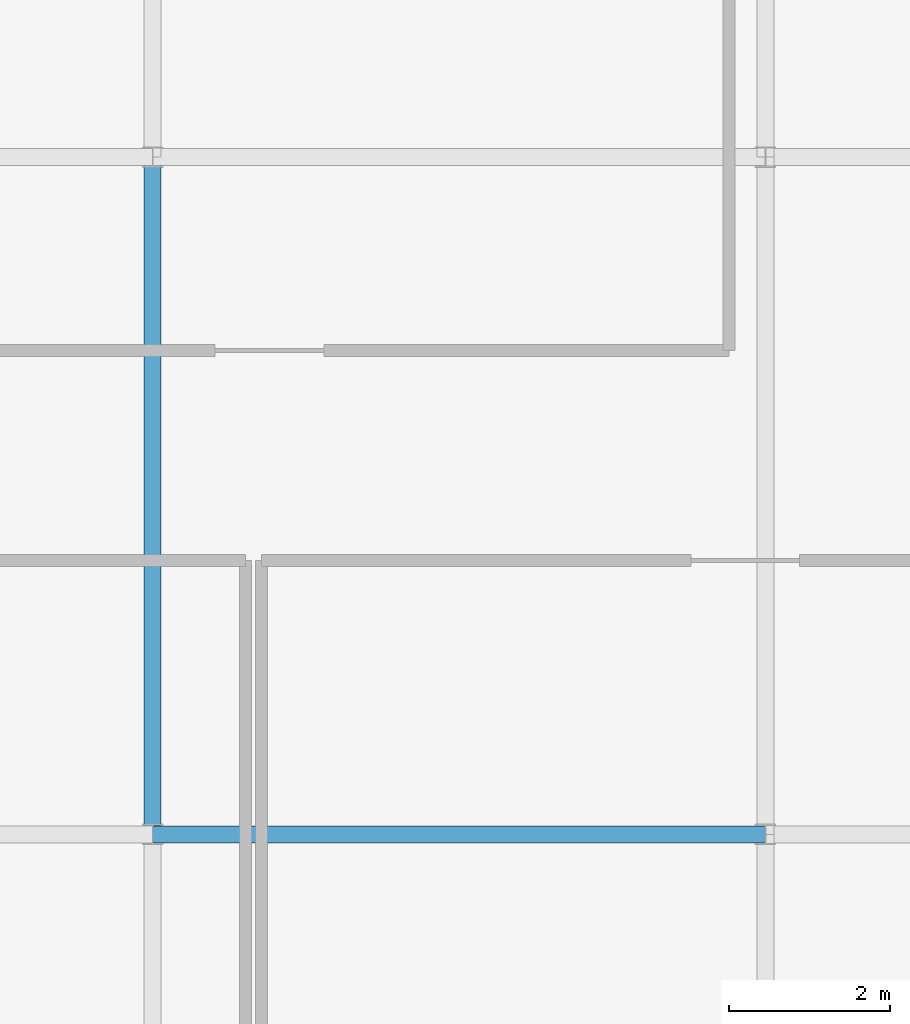
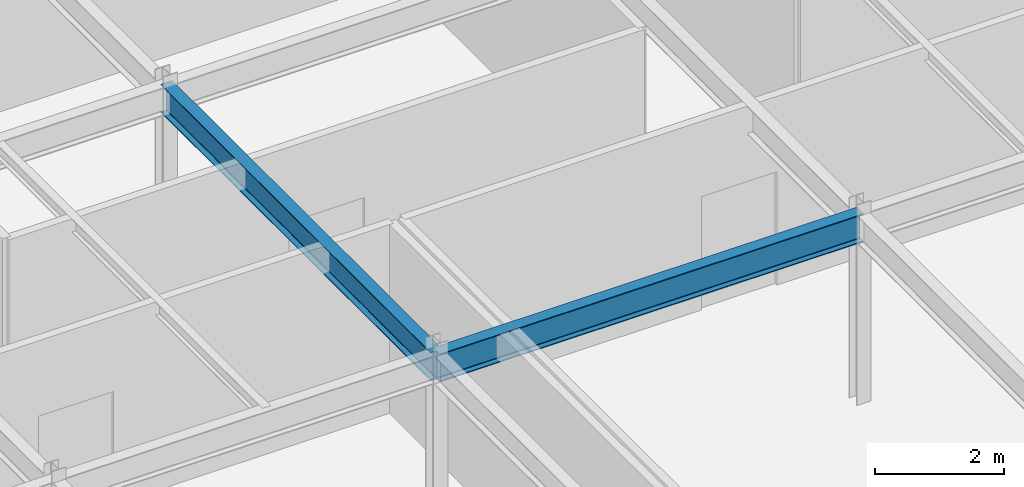
# One storey, part 9 of 36: 2 beams.
"""IFC4 building model written with IfcOpenShell, lengths in metres."""

import ifcopenshell
import ifcopenshell.guid

model = None  # the IFC model being written
_history = None  # IfcOwnerHistory: only IFC2X3 demands one
_inside = {}  # id of a spatial element -> (the spatial element, [elements in it])
_under = {}  # id of a project, library or spatial element -> (it, [spatial elements below it])
_declared = {}  # id of a project -> (the project, [libraries it declares])
_typed = {}  # id of a type object -> (the type object, [elements of that type])
_made_of = {}  # id of a material, layer set ... -> (it, [elements and type objects made of it])


def new_model(schema):
    """Start an empty IFC model of exactly this schema.

    Asked for "IFC4X3", IfcOpenShell would pick the latest addendum, in which some entities
    have other attributes; the version numbers below select the first issue.
    IFC2X3 requires an IfcOwnerHistory on every rooted entity: one is made here for all.
    """
    global model, _history
    if schema == "IFC4X3":
        model = ifcopenshell.file(schema_version=(4, 3, 0, 0))
    else:
        model = ifcopenshell.file(schema=schema)
    _inside.clear()
    _under.clear()
    _declared.clear()
    _typed.clear()
    _made_of.clear()
    _history = None
    if model.schema == "IFC2X3":
        org = make("IfcOrganization", Name="unknown")
        user = make(
            "IfcPersonAndOrganization",
            ThePerson=make("IfcPerson", FamilyName="unknown"),
            TheOrganization=org,
        )
        app = make(
            "IfcApplication",
            ApplicationDeveloper=org,
            Version="unknown",
            ApplicationFullName="unknown",
            ApplicationIdentifier="unknown",
        )
        _history = make(
            "IfcOwnerHistory",
            OwningUser=user,
            OwningApplication=app,
            ChangeAction="ADDED",
            CreationDate=0,
        )
    return model


def make(cls, **values):
    """One entity of the class cls with the attributes given. An attribute that is None is left unset."""
    return model.create_entity(
        cls, **{name: value for name, value in values.items() if value is not None}
    )


def rooted(cls, **values):
    """An entity with a GlobalId (a new one), such as an element, a storey or a relation."""
    return make(cls, GlobalId=ifcopenshell.guid.new(), OwnerHistory=_history, **values)


def si_unit(unit_type, name, prefix=None):
    """IfcSIUnit, for example si_unit("LENGTHUNIT", "METRE", prefix="MILLI")."""
    return make("IfcSIUnit", UnitType=unit_type, Prefix=prefix, Name=name)


def assignment(units):
    """IfcUnitAssignment: the units of a project."""
    return None if units is None else make("IfcUnitAssignment", Units=units)


def point(xyz):
    """IfcCartesianPoint."""
    return None if xyz is None else make("IfcCartesianPoint", Coordinates=xyz)


def direction(xyz):
    """IfcDirection."""
    return None if xyz is None else make("IfcDirection", DirectionRatios=xyz)


def frame(location, z_axis=None, x_axis=None):
    """IfcAxis2Placement3D, a coordinate frame: its origin and axes. An axis left out is left unset."""
    return make(
        "IfcAxis2Placement3D",
        Location=point(location),
        Axis=direction(z_axis),
        RefDirection=direction(x_axis),
    )


def frame_2d(location, x_axis=None):
    """IfcAxis2Placement2D, a coordinate frame in the plane: its origin and x axis."""
    return make(
        "IfcAxis2Placement2D", Location=point(location), RefDirection=direction(x_axis)
    )


def origin():
    """The frame at (0, 0, 0) with its axes left unset."""
    return frame((0.0, 0.0, 0.0))


def origin_2d():
    """The frame at (0, 0) in the plane with its x axis left unset."""
    return frame_2d((0.0, 0.0))


def place(relative_to, where):
    """IfcLocalPlacement: puts the frame where relative to a parent placement (None: the world)."""
    return make(
        "IfcLocalPlacement", PlacementRelTo=relative_to, RelativePlacement=where
    )


def context(
    kind, dimensions, precision=None, world=None, true_north=None, identifier=None
):
    """IfcGeometricRepresentationContext, for example the 3D "Model" context."""
    return make(
        "IfcGeometricRepresentationContext",
        ContextIdentifier=identifier,
        ContextType=kind,
        CoordinateSpaceDimension=dimensions,
        Precision=precision,
        WorldCoordinateSystem=world,
        TrueNorth=true_north,
    )


def subcontext(parent, identifier, kind, view, scale=None):
    """IfcGeometricRepresentationSubContext, for example "Body" below "Model"."""
    return make(
        "IfcGeometricRepresentationSubContext",
        ContextIdentifier=identifier,
        ContextType=kind,
        ParentContext=parent,
        TargetScale=scale,
        TargetView=view,
    )


def project(units=None, contexts=None):
    """IfcProject with its units and contexts."""
    return rooted(
        "IfcProject",
        Name="project",
        RepresentationContexts=contexts,
        UnitsInContext=assignment(units),
    )


def spatial(cls, under=None, at=None, **own):
    """A site, building, storey or space (cls), placed at a placement, below another one or the project."""
    s = rooted(cls, ObjectPlacement=at, **own)
    if under is not None:
        _under.setdefault(under.id(), (under, []))[1].append(s)
    return s


def profile(cls, at=None, kind="AREA", **sizes):
    """A parametric profile (cls). Its sizes go by their IFC names, for example OverallWidth=200.0."""
    return make(cls, ProfileType=kind, Position=at, **sizes)


def i_section(**sizes):
    """IfcIShapeProfileDef."""
    return profile("IfcIShapeProfileDef", **sizes)


def extrude(swept, where, along, depth):
    """IfcExtrudedAreaSolid: the profile swept, set in the frame where, extruded along a direction by depth."""
    return make(
        "IfcExtrudedAreaSolid",
        SweptArea=swept,
        Position=where,
        ExtrudedDirection=direction(along),
        Depth=depth,
    )


def shape(context_of_items, identifier, shape_type, items):
    """IfcShapeRepresentation: the items that make up one representation, for example the "Body"."""
    return make(
        "IfcShapeRepresentation",
        ContextOfItems=context_of_items,
        RepresentationIdentifier=identifier,
        RepresentationType=shape_type,
        Items=items,
    )


def source(mapping_origin, context_of_items, identifier, shape_type, items):
    """IfcRepresentationMap: a shape defined once, which mapped items show again and again."""
    return make(
        "IfcRepresentationMap",
        MappingOrigin=mapping_origin,
        MappedRepresentation=shape(context_of_items, identifier, shape_type, items),
    )


def transform(
    local_origin,
    x_axis=None,
    y_axis=None,
    z_axis=None,
    scale=None,
    scale2=None,
    scale3=None,
    uniform=True,
):
    """IfcCartesianTransformationOperator3D, or its non-uniform kind. x_axis, y_axis, z_axis: its Axis1, 2, 3."""
    if uniform:
        return make(
            "IfcCartesianTransformationOperator3D",
            Axis1=direction(x_axis),
            Axis2=direction(y_axis),
            LocalOrigin=point(local_origin),
            Scale=scale,
            Axis3=direction(z_axis),
        )
    return make(
        "IfcCartesianTransformationOperator3DnonUniform",
        Axis1=direction(x_axis),
        Axis2=direction(y_axis),
        LocalOrigin=point(local_origin),
        Scale=scale,
        Axis3=direction(z_axis),
        Scale2=scale2,
        Scale3=scale3,
    )


def mapped(mapping_source, mapping_target):
    """IfcMappedItem: shows the shape of a source again, moved by a transform."""
    return make(
        "IfcMappedItem", MappingSource=mapping_source, MappingTarget=mapping_target
    )


def material(Name=None, Category=None):
    """IfcMaterial."""
    return make("IfcMaterial", Name=Name, Category=Category)


def material_profile(
    of_material, cross_section, Name=None, Category=None, Priority=None
):
    """IfcMaterialProfile: a cross section and its material."""
    return make(
        "IfcMaterialProfile",
        Name=Name,
        Material=of_material,
        Profile=cross_section,
        Priority=Priority,
        Category=Category,
    )


def profile_set(profiles, Name=None, composite=None):
    """IfcMaterialProfileSet."""
    return make(
        "IfcMaterialProfileSet",
        Name=Name,
        MaterialProfiles=profiles,
        CompositeProfile=composite,
    )


def made_of(thing, what):
    """Note that an element or type object is made of a material, layer set ...; save() writes the relation."""
    if what is not None:
        _made_of.setdefault(what.id(), (what, []))[1].append(thing)
    return thing


def type_object(cls, material=None, **own):
    """A type object (cls), such as IfcWallType, which elements share."""
    return made_of(rooted(cls, **own), material)


def type_shapes(of_type, sources):
    """Give a type object the sources (RepresentationMaps) that its elements show as mapped items."""
    of_type.RepresentationMaps = sources


def element(
    cls,
    number,
    at=None,
    inside=None,
    cuts=None,
    type_object=None,
    material=None,
    context=None,
    identifier="Body",
    shape_type=None,
    held_by="IfcProductDefinitionShape",
    body=None,
    shapes=None,
    **own,
):
    """One element of the class cls, such as IfcWall. Its Tag is "e" and its number.

    at: its placement. inside: the storey or other place that contains it. cuts: it is an
    opening in that element (IfcRelVoidsElement). A single representation is given by context,
    identifier, shape_type and body (its items); several are given by shapes. held_by: the class
    of the entity that holds the representations. save() writes the other relations.
    """
    e = rooted(cls, Tag="e%d" % number, ObjectPlacement=at, **own)
    if body is not None:
        shapes = [shape(context, identifier, shape_type, body)]
    if shapes is not None:
        e.Representation = make(held_by, Representations=shapes)
    if inside is not None:
        _inside.setdefault(inside.id(), (inside, []))[1].append(e)
    if cuts is not None:
        rooted(
            "IfcRelVoidsElement", RelatingBuildingElement=cuts, RelatedOpeningElement=e
        )
    if type_object is not None:
        _typed.setdefault(type_object.id(), (type_object, []))[1].append(e)
    return made_of(e, material)


def aggregate(whole, parts):
    """IfcRelAggregates: a whole, such as a stair, and the parts it consists of."""
    return rooted("IfcRelAggregates", RelatingObject=whole, RelatedObjects=parts)


def save(model, path):
    """Write the relations noted so far, then the file.

    IfcRelAggregates (storeys below a building ...), IfcRelContainedInSpatialStructure (elements
    in a storey), IfcRelDefinesByType, IfcRelAssociatesMaterial and IfcRelDeclares: one each for
    every whole, place, type object, material and project.
    """
    for whole, parts in _under.values():
        aggregate(whole, parts)
    for where, things in _inside.values():
        rooted(
            "IfcRelContainedInSpatialStructure",
            RelatedElements=things,
            RelatingStructure=where,
        )
    for kind, things in _typed.values():
        rooted("IfcRelDefinesByType", RelatedObjects=things, RelatingType=kind)
    for what, things in _made_of.values():
        rooted("IfcRelAssociatesMaterial", RelatedObjects=things, RelatingMaterial=what)
    for by, libraries in _declared.values():
        rooted("IfcRelDeclares", RelatingContext=by, RelatedDefinitions=libraries)
    model.write(path)


model = new_model("IFC4")

# Units and contexts
model_context = context("Model", 3, precision=1e-05, world=origin(), true_north=direction((0.0, 1.0)))
body_context = subcontext(model_context, "Body", "Model", "MODEL_VIEW")
ifc_project = project(units=[si_unit("LENGTHUNIT", "METRE"), si_unit("AREAUNIT", "SQUARE_METRE"), si_unit("VOLUMEUNIT", "CUBIC_METRE"), si_unit("PLANEANGLEUNIT", "RADIAN"), si_unit("MASSUNIT", "GRAM", prefix="KILO")], contexts=[model_context])

# Site, building, storey
site_placement = place(None, origin())
site = spatial("IfcSite", under=ifc_project, at=site_placement, CompositionType="ELEMENT")
building_placement = place(site_placement, origin())
building = spatial("IfcBuilding", under=site, at=building_placement, Name="Tolvann Quenvar Hotel", CompositionType="ELEMENT")
storey_placement = place(building_placement, frame((0.0, 0.0, 302.35009765625)))
storey = spatial("IfcBuildingStorey", under=building, at=storey_placement, Name="L80", CompositionType="ELEMENT", Elevation=302.35009765625)

# Beams
ifc_material = material(Name="Steel Grade 350", Category="steel")
ifc_material_profile = material_profile(ifc_material, i_section(OverallWidth=0.208984375, OverallDepth=0.532958984375, WebThickness=0.01025390625, FlangeThickness=0.015625, FilletRadius=0.013916015625, at=origin_2d()), Name="530UB92")
ifc_profile_set = profile_set([ifc_material_profile], Name="Steel Grade 350")
beam_type = type_object("IfcBeamType", Name="BM_GIRD_530UB92", PredefinedType="BEAM", material=ifc_profile_set)
shared_shape_1 = source(origin(), body_context, "Body", "SweptSolid", [
    extrude(i_section(OverallWidth=0.208984375, OverallDepth=0.532958984375, WebThickness=0.01025390625, FlangeThickness=0.015625, FilletRadius=0.013916015625, at=origin_2d()), origin(), (0.0, 0.0, 1.0), 8.39990234375),
])
beam_1_placement = place(storey_placement, frame((14.449951171875, 16.0, 3.3134765625), z_axis=(0.0, 1.0, 0.0), x_axis=(-1.0, 0.0, 0.0)))
element("IfcBeam", 1, at=beam_1_placement, inside=storey, type_object=beam_type, Name="BM-L80-NS-D4-D5", PredefinedType="BEAM", context=body_context, shape_type="MappedRepresentation", body=[
    mapped(shared_shape_1, transform((0.0, 0.0, 0.0), x_axis=(1.0, 0.0, 0.0), y_axis=(0.0, 1.0, 0.0), z_axis=(0.0, 0.0, 1.0), scale=1.0)),
])
shared_shape_2 = source(origin(), body_context, "Body", "SweptSolid", [
    extrude(i_section(OverallWidth=0.208984375, OverallDepth=0.532958984375, WebThickness=0.01025390625, FlangeThickness=0.015625, FilletRadius=0.013916015625, at=origin_2d()), origin(), (0.0, 0.0, 1.0), 7.60009765625),
])
type_shapes(beam_type, [shared_shape_1, shared_shape_2])
beam_2_placement = place(storey_placement, frame((14.449951171875, 16.0, 3.3134765625), z_axis=(1.0, 0.0, 0.0), x_axis=(0.0, 1.0, 0.0)))
element("IfcBeam", 2, at=beam_2_placement, inside=storey, type_object=beam_type, Name="BM-L80-EW-4-D4-E4", PredefinedType="BEAM", context=body_context, shape_type="MappedRepresentation", body=[
    mapped(shared_shape_2, transform((0.0, 0.0, 0.0), x_axis=(1.0, 0.0, 0.0), y_axis=(0.0, 1.0, 0.0), z_axis=(0.0, 0.0, 1.0), scale=1.0)),
])

save(model, "model.ifc")
